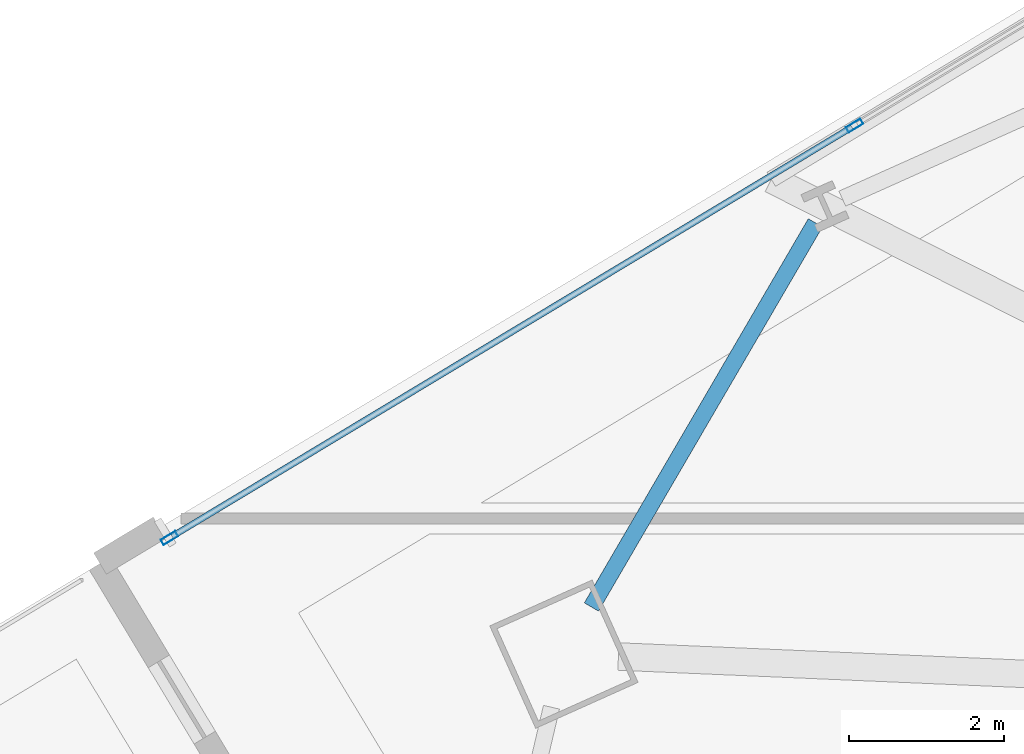
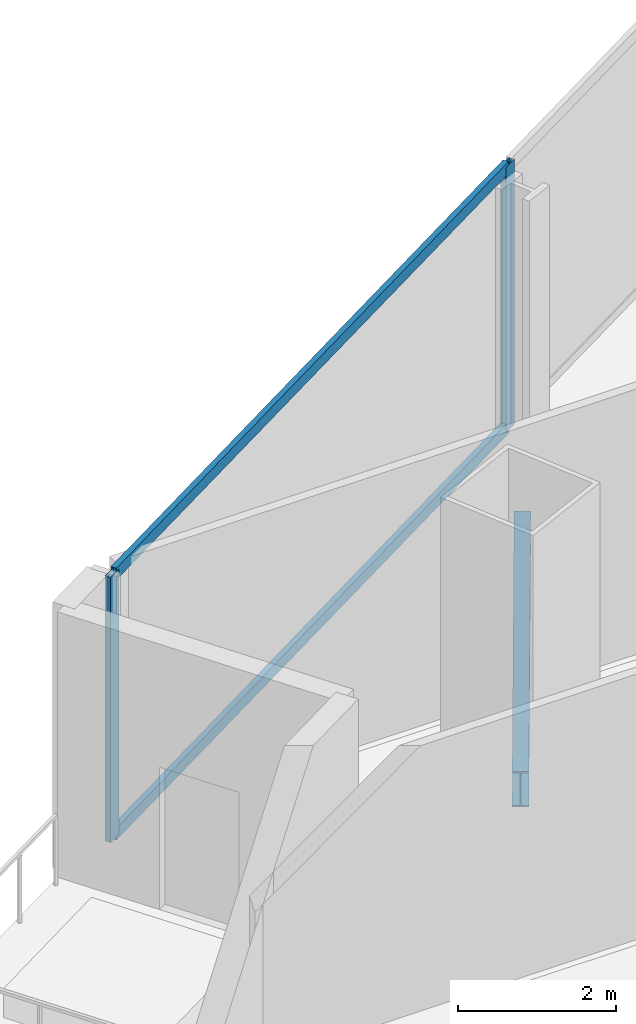
# One storey, part 13 of 30: 4 members, 1 beam, 1 element without a shape of its own.
"""IFC4 building model written with IfcOpenShell, lengths in metres."""

from ifc_helpers import new_model, si_unit, direction, frame, origin, origin_2d, place, context, subcontext, project, spatial, hollow_rectangle, i_section, extrude, material, material_profile, profile_set, type_object, element, aggregate, save


model = new_model("IFC4")

# Units and contexts
model_context = context("Model", 3, precision=1e-05, world=origin(), true_north=direction((0.0, 1.0)))
body_context = subcontext(model_context, "Body", "Model", "MODEL_VIEW")
ifc_project = project(units=[si_unit("LENGTHUNIT", "METRE"), si_unit("AREAUNIT", "SQUARE_METRE"), si_unit("VOLUMEUNIT", "CUBIC_METRE"), si_unit("PLANEANGLEUNIT", "RADIAN"), si_unit("MASSUNIT", "GRAM", prefix="KILO")], contexts=[model_context])

# Site, building, storey
site_placement = place(None, origin())
site = spatial("IfcSite", under=ifc_project, at=site_placement, CompositionType="ELEMENT")
building_placement = place(site_placement, origin())
building = spatial("IfcBuilding", under=site, at=building_placement, Name="Haldenkirk Collegiate Tower", CompositionType="ELEMENT")
storey_placement = place(building_placement, frame((0.0, 0.0, 131.699951171875)))
storey = spatial("IfcBuildingStorey", under=building, at=storey_placement, Name="L32", CompositionType="ELEMENT", Elevation=131.699951171875)

# Beam
ifc_material_1 = material(Name="Steel ASTM A992 Grade 50", Category="steel")
ifc_material_profile_1 = material_profile(ifc_material_1, i_section(OverallWidth=0.2119140625, OverallDepth=0.5439453125, WebThickness=0.01318359375, FlangeThickness=0.021240234375, at=origin_2d()), Name="W21X83")
ifc_profile_set_1 = profile_set([ifc_material_profile_1], Name="Steel ASTM A992 Grade 50")
beam_type = type_object("IfcBeamType", Name="BM-SPANDREL-W21X83", PredefinedType="SPANDREL", material=ifc_profile_set_1)
beam_placement = place(storey_placement, frame((14.035888671875, 40.27001953125, -0.6220703125), z_axis=(-0.503649179098, -0.863908273137, 0.0), x_axis=(0.863908273137, -0.503649179098, 0.0)))
element("IfcBeam", 1, at=beam_placement, inside=storey, type_object=beam_type, Name="L32 perimeter spandrel beam 12", PredefinedType="SPANDREL", context=body_context, shape_type="SweptSolid", body=[
    extrude(i_section(OverallWidth=0.2119140625, OverallDepth=0.5439453125, WebThickness=0.01318359375, FlangeThickness=0.021240234375, at=origin_2d()), origin(), (0.0, 0.0, 1.0), 5.748046875),
])

# Curtain wall, members
ifc_material_2 = material(Name="Anodised architectural bronze aluminium", Category="aluminium")
curtain_wall_type = type_object("IfcCurtainWallType", Name="CW-SYS1-CONVEX-LOW", PredefinedType="USERDEFINED", material=ifc_material_2)
curtain_wall_placement = place(storey_placement, origin())
curtain_wall = element("IfcCurtainWall", 2, at=curtain_wall_placement, inside=storey, type_object=curtain_wall_type, Name="L32 Lower tower convex bronze-framed unitised curtain wall", ObjectType="UNITISED CURTAIN WALL", PredefinedType="USERDEFINED")
ifc_material_profile_2 = material_profile(ifc_material_2, hollow_rectangle(XDim=0.080078125, YDim=0.219970703125, WallThickness=0.0048828125, at=origin_2d()), Name="CW-MUL-1A")
ifc_profile_set_2 = profile_set([ifc_material_profile_2], Name="Anodised architectural bronze aluminium")
member_type_1 = type_object("IfcMemberType", Name="CW-MUL-1A", PredefinedType="MULLION", material=ifc_profile_set_2)
member_1_placement = place(storey_placement, frame((5.6875, 36.1962890625, 0.0), z_axis=(0.0, 0.0, 1.0), x_axis=(-0.51578432758, 0.856718464505, 0.0)))
member_1 = element("IfcMember", 3, at=member_1_placement, type_object=member_type_1, Name="CW-1A mullion 1", PredefinedType="MULLION", context=body_context, shape_type="SweptSolid", body=[
    extrude(hollow_rectangle(XDim=0.080078125, YDim=0.219970703125, WallThickness=0.0048828125, at=origin_2d()), origin(), (0.0, 0.0, 1.0), 4.10009765625),
])
member_2_placement = place(storey_placement, frame((14.541748046875, 41.52685546875, 0.0), z_axis=(0.0, 0.0, 1.0), x_axis=(-0.51578432758, 0.856718464505, 0.0)))
member_2 = element("IfcMember", 4, at=member_2_placement, type_object=member_type_1, Name="CW-1A mullion 2", PredefinedType="MULLION", context=body_context, shape_type="SweptSolid", body=[
    extrude(hollow_rectangle(XDim=0.080078125, YDim=0.219970703125, WallThickness=0.0048828125, at=origin_2d()), origin(), (0.0, 0.0, 1.0), 4.10009765625),
])
ifc_material_profile_3 = material_profile(ifc_material_2, hollow_rectangle(XDim=0.080078125, YDim=0.179931640625, WallThickness=0.0048828125, at=origin_2d()), Name="CW-TRN-1A")
ifc_profile_set_3 = profile_set([ifc_material_profile_3], Name="Anodised architectural bronze aluminium")
member_type_2 = type_object("IfcMemberType", Name="CW-TRN-1A", PredefinedType="USERDEFINED", material=ifc_profile_set_3)
member_3_placement = place(storey_placement, frame((5.721923828125, 36.217041015625, 0.0400390625), z_axis=(0.856721034293, 0.515780059133, 0.0), x_axis=(-0.515780059133, 0.856721034293, 0.0)))
member_3 = element("IfcMember", 5, at=member_3_placement, type_object=member_type_2, Name="CW-1A transom 1.1", ObjectType="TRANSOM", PredefinedType="USERDEFINED", context=body_context, shape_type="SweptSolid", body=[
    extrude(hollow_rectangle(XDim=0.080078125, YDim=0.179931640625, WallThickness=0.0048828125, at=origin_2d()), origin(), (0.0, 0.0, 1.0), 10.2548828125),
])
member_4_placement = place(storey_placement, frame((5.721923828125, 36.217041015625, 4.06005859375), z_axis=(0.856721034293, 0.515780059133, 0.0), x_axis=(-0.515780059133, 0.856721034293, 0.0)))
member_4 = element("IfcMember", 6, at=member_4_placement, type_object=member_type_2, Name="CW-1A transom 1.2", ObjectType="TRANSOM", PredefinedType="USERDEFINED", context=body_context, shape_type="SweptSolid", body=[
    extrude(hollow_rectangle(XDim=0.080078125, YDim=0.179931640625, WallThickness=0.0048828125, at=origin_2d()), origin(), (0.0, 0.0, 1.0), 10.2548828125),
])
aggregate(curtain_wall, [member_1, member_2, member_3, member_4])

save(model, "model.ifc")
